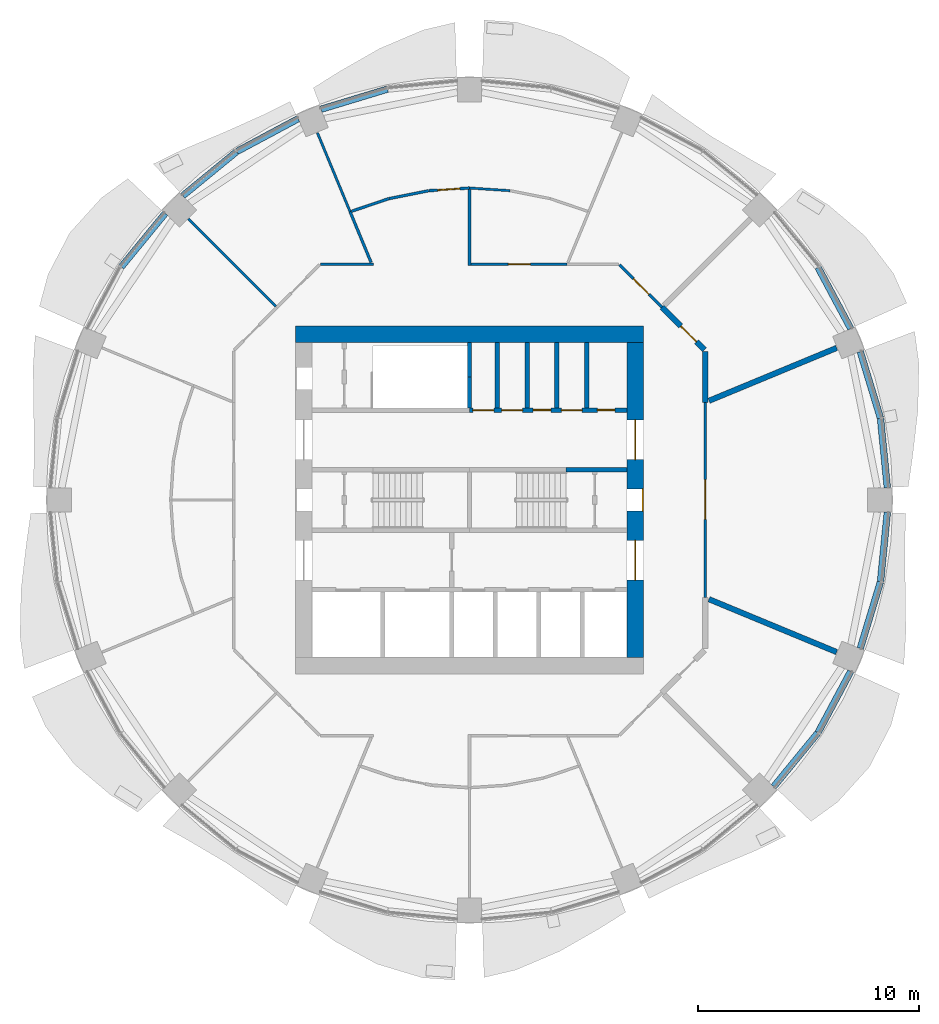
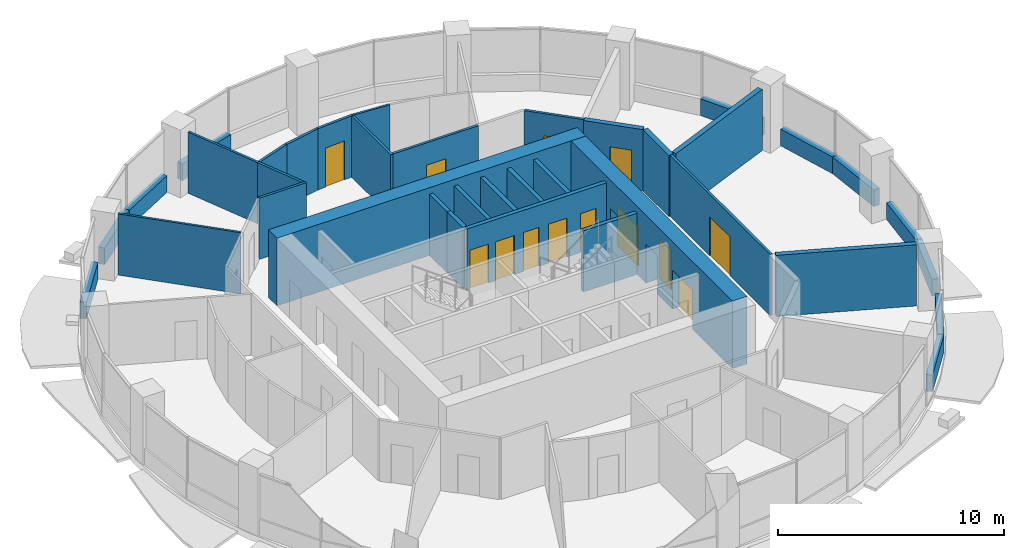
# One storey, part 9 of 14: 37 walls, 13 doors, 13 openings.
"""IFC4 building model written with IfcOpenShell, lengths in metres."""

from ifc_helpers import new_model, si_unit, direction, frame, frame_2d, origin, place, context, subcontext, project, spatial, rectangle, extrude, material, layer, layer_set, type_object, element, fill, save


model = new_model("IFC4")

# Units and contexts
model_context = context("Model", 3, precision=1e-05, world=origin(), true_north=direction((0.0, 1.0)))
body_context = subcontext(model_context, "Body", "Model", "MODEL_VIEW")
ifc_project = project(units=[si_unit("LENGTHUNIT", "METRE"), si_unit("AREAUNIT", "SQUARE_METRE"), si_unit("VOLUMEUNIT", "CUBIC_METRE"), si_unit("PLANEANGLEUNIT", "RADIAN"), si_unit("MASSUNIT", "GRAM", prefix="KILO")], contexts=[model_context])

# Site, building, storey
site_placement = place(None, origin())
site = spatial("IfcSite", under=ifc_project, at=site_placement, CompositionType="ELEMENT")
building_placement = place(site_placement, origin())
building = spatial("IfcBuilding", under=site, at=building_placement, Name="Polderwave Tower", CompositionType="ELEMENT")
storey_placement = place(building_placement, frame((0.0, 0.0, 112.89990234375)))
storey = spatial("IfcBuildingStorey", under=building, at=storey_placement, Name="L29", CompositionType="ELEMENT", Elevation=112.89990234375)

# Wall
ifc_material_1 = material(Name="Concrete C70/85", Category="concrete")
ifc_layer_1 = layer(ifc_material_1, 0.75)
ifc_layer_set_1 = layer_set([ifc_layer_1], Name="CORE WALL 750 C70/85")
wall_type_1 = type_object("IfcWallType", Name="CORE WALL 750 C70/85", PredefinedType="SHEAR", material=ifc_layer_set_1)
wall_1_placement = place(storey_placement, frame((-7.8740234375, 7.4990234375, 0.0), z_axis=(0.0, 0.0, 1.0), x_axis=(1.0, 0.0, 0.0)))
element("IfcWall", 1, at=wall_1_placement, inside=storey, type_object=wall_type_1, Name="ST-CORE-L29-N", PredefinedType="SHEAR", context=body_context, shape_type="SweptSolid", body=[
    extrude(rectangle(XDim=15.748046875, YDim=0.75, at=frame_2d((7.8740234375, 0.0))), origin(), (0.0, 0.0, 1.0), 3.650146484375),
])

# Wall, openings, doors
wall_2_placement = place(storey_placement, frame((7.4990234375, -7.1240234375, 0.0), z_axis=(0.0, 0.0, 1.0), x_axis=(0.0, 1.0, 0.0)))
wall_2 = element("IfcWall", 2, at=wall_2_placement, inside=storey, type_object=wall_type_1, Name="ST-CORE-L29-E", PredefinedType="SHEAR", context=body_context, shape_type="SweptSolid", body=[
    extrude(rectangle(XDim=14.248046875, YDim=0.75, at=frame_2d((7.1240234375, 0.0))), origin(), (0.0, 0.0, 1.0), 3.650146484375),
])
opening_1_placement = place(wall_2_placement, frame((6.6240234375, 0.0, 0.0)))
opening_1 = element("IfcOpeningElement", 3, at=opening_1_placement, cuts=wall_2, Name="Opening L29-D23", PredefinedType="OPENING", context=body_context, shape_type="SweptSolid", body=[
    extrude(rectangle(XDim=1.0, YDim=2.10009765625, at=frame_2d((0.5, 1.050048828125))), frame((0.0, 0.385009765625, 0.0), z_axis=(0.0, -1.0, 0.0), x_axis=(1.0, 0.0, 0.0)), (0.0, 0.0, 1.0), 0.77001953125),
])
opening_2_placement = place(wall_2_placement, frame((3.49951171875, 0.0, 0.0)))
opening_2 = element("IfcOpeningElement", 4, at=opening_2_placement, cuts=wall_2, Name="Opening L29-D24", PredefinedType="OPENING", context=body_context, shape_type="SweptSolid", body=[
    extrude(rectangle(XDim=1.800048828125, YDim=2.10009765625, at=frame_2d((0.89990234375, 1.050048828125))), frame((0.0, 0.385009765625, 0.0), z_axis=(0.0, -1.0, 0.0), x_axis=(1.0, 0.0, 0.0)), (0.0, 0.0, 1.0), 0.77001953125),
])
opening_3_placement = place(wall_2_placement, frame((8.948486328125, 0.0, 0.0)))
opening_3 = element("IfcOpeningElement", 5, at=opening_3_placement, cuts=wall_2, Name="Opening L29-D25", PredefinedType="OPENING", context=body_context, shape_type="SweptSolid", body=[
    extrude(rectangle(XDim=1.800048828125, YDim=2.10009765625, at=frame_2d((0.89990234375, 1.050048828125))), frame((0.0, 0.385009765625, 0.0), z_axis=(0.0, -1.0, 0.0), x_axis=(1.0, 0.0, 0.0)), (0.0, 0.0, 1.0), 0.77001953125),
])
ifc_material_2 = material(Name="Steel fire door", Category="steel")
door_type_1 = type_object("IfcDoorType", Name="Lobby entry door pair 1800", OperationType="DOUBLE_DOOR_SINGLE_SWING", PredefinedType="DOOR", material=ifc_material_2)
door_1_placement = place(opening_2_placement, frame((1.800048828125, 0.0, 0.0), z_axis=(0.0, 0.0, 1.0), x_axis=(-1.0, 0.0, 0.0)))
door_1 = element("IfcDoor", 6, at=door_1_placement, inside=storey, type_object=door_type_1, Name="South lobby entry door", OperationType="DOUBLE_DOOR_SINGLE_SWING", OverallHeight=2.10009765625, OverallWidth=1.800048828125, PredefinedType="DOOR", context=body_context, shape_type="SweptSolid", body=[
    extrude(rectangle(XDim=1.800048828125, YDim=2.10009765625, at=frame_2d((0.89990234375, 1.050048828125))), frame((0.0, 0.02490234375, 0.0), z_axis=(0.0, -1.0, 0.0), x_axis=(1.0, 0.0, 0.0)), (0.0, 0.0, 1.0), 0.050048828125),
])
fill(opening_2, door_1)
door_2_placement = place(opening_3_placement, frame((1.800048828125, 0.0, 0.0), z_axis=(0.0, 0.0, 1.0), x_axis=(-1.0, 0.0, 0.0)))
door_2 = element("IfcDoor", 7, at=door_2_placement, inside=storey, type_object=door_type_1, Name="North lobby entry door", OperationType="DOUBLE_DOOR_SINGLE_SWING", OverallHeight=2.10009765625, OverallWidth=1.800048828125, PredefinedType="DOOR", context=body_context, shape_type="SweptSolid", body=[
    extrude(rectangle(XDim=1.800048828125, YDim=2.10009765625, at=frame_2d((0.89990234375, 1.050048828125))), frame((0.0, 0.02490234375, 0.0), z_axis=(0.0, -1.0, 0.0), x_axis=(1.0, 0.0, 0.0)), (0.0, 0.0, 1.0), 0.050048828125),
])
fill(opening_3, door_2)
door_type_2 = type_object("IfcDoorType", Name="Stair door 1000", OperationType="NOTDEFINED", PredefinedType="DOOR", material=ifc_material_2)
door_3_placement = place(opening_1_placement, frame((1.0, 0.0, 0.0), z_axis=(0.0, 0.0, 1.0), x_axis=(-1.0, 0.0, 0.0)))
door_3 = element("IfcDoor", 8, at=door_3_placement, inside=storey, type_object=door_type_2, Name="Stair B entry door", OperationType="SINGLE_SWING_LEFT", OverallHeight=2.10009765625, OverallWidth=1.0, PredefinedType="DOOR", context=body_context, shape_type="SweptSolid", body=[
    extrude(rectangle(XDim=1.0, YDim=2.10009765625, at=frame_2d((0.5, 1.050048828125))), frame((0.0, 0.375, 0.0), z_axis=(0.0, -1.0, 0.0), x_axis=(1.0, 0.0, 0.0)), (0.0, 0.0, 1.0), 0.050048828125),
])
fill(opening_1, door_3)

# Walls
ifc_material_3 = material(Name="Concrete C50/60 (board-marked)", Category="concrete")
ifc_layer_2 = layer(ifc_material_3, 0.300048828125)
ifc_layer_set_2 = layer_set([ifc_layer_2], Name="Concrete spandrel upstand C50/60")
wall_type_2 = type_object("IfcWallType", Name="Concrete spandrel upstand C50/60", PredefinedType="SOLIDWALL", material=ifc_layer_set_2)
wall_3_placement = place(storey_placement, frame((18.924560546875, 0.56396484375, 0.0), z_axis=(0.0, 0.0, 1.0), x_axis=(-0.098148390136, 0.995171790956, 0.0)))
element("IfcWall", 9, at=wall_3_placement, inside=storey, type_object=wall_type_2, Name="Spandrel L29 1a", PredefinedType="SOLIDWALL", context=body_context, shape_type="SweptSolid", body=[
    extrude(rectangle(XDim=3.13916015625, YDim=0.300048828125, at=frame_2d((1.569580078125, 0.0))), origin(), (0.0, 0.0, 1.0), 0.900146484375),
])
wall_4_placement = place(storey_placement, frame((18.610595703125, 3.71728515625, 0.0), z_axis=(0.0, 0.0, 1.0), x_axis=(-0.290214584271, 0.956961595403, 0.0)))
element("IfcWall", 10, at=wall_4_placement, inside=storey, type_object=wall_type_2, Name="Spandrel L29 1b", PredefinedType="SOLIDWALL", context=body_context, shape_type="SweptSolid", body=[
    extrude(rectangle(XDim=3.139404296875, YDim=0.300048828125, at=frame_2d((1.56982421875, 0.0))), origin(), (0.0, 0.0, 1.0), 0.900146484375),
])
wall_5_placement = place(storey_placement, frame((17.267822265625, 7.76318359375, 0.0), z_axis=(0.0, 0.0, 1.0), x_axis=(-0.471375185282, 0.88193278355, 0.0)))
element("IfcWall", 11, at=wall_5_placement, inside=storey, type_object=wall_type_2, Name="Spandrel L29 2a", PredefinedType="SOLIDWALL", context=body_context, shape_type="SweptSolid", body=[
    extrude(rectangle(XDim=3.13916015625, YDim=0.300048828125, at=frame_2d((1.569580078125, 0.0))), origin(), (0.0, 0.0, 1.0), 0.900146484375),
])
wall_6_placement = place(storey_placement, frame((-3.71728515625, 18.610595703125, 0.0), z_axis=(0.0, 0.0, 1.0), x_axis=(-0.956961595403, -0.290214584271, 0.0)))
element("IfcWall", 12, at=wall_6_placement, inside=storey, type_object=wall_type_2, Name="Spandrel L29 5b", PredefinedType="SOLIDWALL", context=body_context, shape_type="SweptSolid", body=[
    extrude(rectangle(XDim=3.139404296875, YDim=0.300048828125, at=frame_2d((1.56982421875, 0.0))), origin(), (0.0, 0.0, 1.0), 0.900146484375),
])
wall_7_placement = place(storey_placement, frame((-7.76318359375, 17.267822265625, 0.0), z_axis=(0.0, 0.0, 1.0), x_axis=(-0.88193278355, -0.471375185282, 0.0)))
element("IfcWall", 13, at=wall_7_placement, inside=storey, type_object=wall_type_2, Name="Spandrel L29 6a", PredefinedType="SOLIDWALL", context=body_context, shape_type="SweptSolid", body=[
    extrude(rectangle(XDim=3.13916015625, YDim=0.300048828125, at=frame_2d((1.569580078125, 0.0))), origin(), (0.0, 0.0, 1.0), 0.900146484375),
])
for number, where, z_axis, x_axis, name in (
    (14, (-10.556640625, 15.771484375, 0.0), (0.0, 0.0, 1.0), (-0.773107597536, -0.634274895162, 0.0), "Spandrel L29 6b"),
    (15, (-13.780517578125, 12.9833984375, 0.0), (0.0, 0.0, 1.0), (-0.634274895162, -0.773107597536, 0.0), "Spandrel L29 7a"),
    (16, (13.780517578125, -12.9833984375, 0.0), (0.0, 0.0, 1.0), (0.634274895162, 0.773107597536, 0.0), "Spandrel L29 15a"),
):
    element("IfcWall", number, at=place(storey_placement, frame(where, z_axis=z_axis, x_axis=x_axis)), inside=storey, type_object=wall_type_2, Name=name, PredefinedType="SOLIDWALL", context=body_context, shape_type="SweptSolid", body=[
        extrude(rectangle(XDim=3.138916015625, YDim=0.300048828125, at=frame_2d((1.5693359375, 0.0))), origin(), (0.0, 0.0, 1.0), 0.900146484375),
    ])
wall_8_placement = place(storey_placement, frame((15.7880859375, -10.53173828125, 0.0), z_axis=(0.0, 0.0, 1.0), x_axis=(0.471375185282, 0.88193278355, 0.0)))
element("IfcWall", 17, at=wall_8_placement, inside=storey, type_object=wall_type_2, Name="Spandrel L29 15b", PredefinedType="SOLIDWALL", context=body_context, shape_type="SweptSolid", body=[
    extrude(rectangle(XDim=3.13916015625, YDim=0.300048828125, at=frame_2d((1.569580078125, 0.0))), origin(), (0.0, 0.0, 1.0), 0.900146484375),
])
wall_9_placement = place(storey_placement, frame((17.699462890625, -6.7216796875, 0.0), z_axis=(0.0, 0.0, 1.0), x_axis=(0.290214584271, 0.956961595403, 0.0)))
element("IfcWall", 18, at=wall_9_placement, inside=storey, type_object=wall_type_2, Name="Spandrel L29 16a", PredefinedType="SOLIDWALL", context=body_context, shape_type="SweptSolid", body=[
    extrude(rectangle(XDim=3.139404296875, YDim=0.300048828125, at=frame_2d((1.56982421875, 0.0))), origin(), (0.0, 0.0, 1.0), 0.900146484375),
])
wall_10_placement = place(storey_placement, frame((18.616455078125, -3.68798828125, 0.0), z_axis=(0.0, 0.0, 1.0), x_axis=(0.098148390136, 0.995171790956, 0.0)))
element("IfcWall", 19, at=wall_10_placement, inside=storey, type_object=wall_type_2, Name="Spandrel L29 16b", PredefinedType="SOLIDWALL", context=body_context, shape_type="SweptSolid", body=[
    extrude(rectangle(XDim=3.13916015625, YDim=0.300048828125, at=frame_2d((1.569580078125, 0.0))), origin(), (0.0, 0.0, 1.0), 0.900146484375),
])
ifc_material_4 = material(Name="Gypsum board partition")
ifc_layer_3 = layer(ifc_material_4, 0.199951171875)
ifc_layer_set_3 = layer_set([ifc_layer_3], Name="Core room partition 200")
wall_type_3 = type_object("IfcWallType", Name="Core room partition 200", PredefinedType="PARTITIONING", material=ifc_layer_set_3)
for number, where, z_axis, x_axis, name in (
    (20, (1.260009765625, 4.174072265625, 0.0), (0.0, 0.0, 1.0), (0.0, 1.0, 0.0), "L29 room partition N1"),
    (21, (2.608642578125, 4.174072265625, 0.0), (0.0, 0.0, 1.0), (0.0, 1.0, 0.0), "L29 room partition N2"),
    (22, (3.95703125, 4.174072265625, 0.0), (0.0, 0.0, 1.0), (0.0, 1.0, 0.0), "L29 room partition N3"),
):
    element("IfcWall", number, at=place(storey_placement, frame(where, z_axis=z_axis, x_axis=x_axis)), inside=storey, type_object=wall_type_3, Name=name, PredefinedType="PARTITIONING", context=body_context, shape_type="SweptSolid", body=[
        extrude(rectangle(XDim=2.949951171875, YDim=0.199951171875, at=frame_2d((1.47509765625, 0.0))), origin(), (0.0, 0.0, 1.0), 3.300048828125),
    ])

# Wall, openings, doors
ifc_material_5 = material(Name="Concrete C50/60", Category="concrete")
ifc_layer_4 = layer(ifc_material_5, 0.199951171875)
ifc_layer_set_4 = layer_set([ifc_layer_4], Name="Core web wall 200")
wall_type_4 = type_object("IfcWallType", Name="Core web wall 200", PredefinedType="SHEAR", material=ifc_layer_set_4)
wall_11_placement = place(storey_placement, frame((0.0, 4.073974609375, 0.0), z_axis=(0.0, 0.0, 1.0), x_axis=(1.0, 0.0, 0.0)))
wall_11 = element("IfcWall", 23, at=wall_11_placement, inside=storey, type_object=wall_type_4, Name="L29 north front wall 2", PredefinedType="SHEAR", context=body_context, shape_type="SweptSolid", body=[
    extrude(rectangle(XDim=7.1240234375, YDim=0.199951171875, at=frame_2d((3.56201171875, 0.0))), origin(), (0.0, 0.0, 1.0), 3.300048828125),
])
opening_4_placement = place(wall_11_placement, frame((0.155029296875, 0.0, 0.0)))
opening_4 = element("IfcOpeningElement", 24, at=opening_4_placement, cuts=wall_11, Name="Opening L29-D14", PredefinedType="OPENING", context=body_context, shape_type="SweptSolid", body=[
    extrude(rectangle(XDim=0.949951171875, YDim=2.10009765625, at=frame_2d((0.47509765625, 1.050048828125))), frame((0.0, 0.10986328125, 0.0), z_axis=(0.0, -1.0, 0.0), x_axis=(1.0, 0.0, 0.0)), (0.0, 0.0, 1.0), 0.219970703125),
])
opening_5_placement = place(wall_11_placement, frame((1.459228515625, 0.0, 0.0)))
opening_5 = element("IfcOpeningElement", 25, at=opening_5_placement, cuts=wall_11, Name="Opening L29-D15", PredefinedType="OPENING", context=body_context, shape_type="SweptSolid", body=[
    extrude(rectangle(XDim=0.949951171875, YDim=2.10009765625, at=frame_2d((0.47509765625, 1.050048828125))), frame((0.0, 0.10986328125, 0.0), z_axis=(0.0, -1.0, 0.0), x_axis=(1.0, 0.0, 0.0)), (0.0, 0.0, 1.0), 0.219970703125),
])
opening_6_placement = place(wall_11_placement, frame((2.8828125, 0.0, 0.0)))
opening_6 = element("IfcOpeningElement", 26, at=opening_6_placement, cuts=wall_11, Name="Opening L29-D16", PredefinedType="OPENING", context=body_context, shape_type="SweptSolid", body=[
    extrude(rectangle(XDim=0.800048828125, YDim=2.10009765625, at=frame_2d((0.39990234375, 1.050048828125))), frame((0.0, 0.10986328125, 0.0), z_axis=(0.0, -1.0, 0.0), x_axis=(1.0, 0.0, 0.0)), (0.0, 0.0, 1.0), 0.219970703125),
])
opening_7_placement = place(wall_11_placement, frame((4.15625, 0.0, 0.0)))
opening_7 = element("IfcOpeningElement", 27, at=opening_7_placement, cuts=wall_11, Name="Opening L29-D17", PredefinedType="OPENING", context=body_context, shape_type="SweptSolid", body=[
    extrude(rectangle(XDim=0.949951171875, YDim=2.10009765625, at=frame_2d((0.47509765625, 1.050048828125))), frame((0.0, 0.10986328125, 0.0), z_axis=(0.0, -1.0, 0.0), x_axis=(1.0, 0.0, 0.0)), (0.0, 0.0, 1.0), 0.219970703125),
])
opening_8_placement = place(wall_11_placement, frame((5.789794921875, 0.0, 0.0)))
opening_8 = element("IfcOpeningElement", 28, at=opening_8_placement, cuts=wall_11, Name="Opening L29-D18", PredefinedType="OPENING", context=body_context, shape_type="SweptSolid", body=[
    extrude(rectangle(XDim=0.800048828125, YDim=2.10009765625, at=frame_2d((0.39990234375, 1.050048828125))), frame((0.0, 0.10986328125, 0.0), z_axis=(0.0, -1.0, 0.0), x_axis=(1.0, 0.0, 0.0)), (0.0, 0.0, 1.0), 0.219970703125),
])
door_type_3 = type_object("IfcDoorType", Name="Riser door 800", OperationType="NOTDEFINED", PredefinedType="DOOR", material=ifc_material_2)
door_4_placement = place(opening_6_placement, frame((0.800048828125, 0.0, 0.0), z_axis=(0.0, 0.0, 1.0), x_axis=(-1.0, 0.0, 0.0)))
door_4 = element("IfcDoor", 29, at=door_4_placement, inside=storey, type_object=door_type_3, Name="Electrical room door", OperationType="SINGLE_SWING_RIGHT", OverallHeight=2.10009765625, OverallWidth=0.800048828125, PredefinedType="DOOR", context=body_context, shape_type="SweptSolid", body=[
    extrude(rectangle(XDim=0.800048828125, YDim=2.10009765625, at=frame_2d((0.39990234375, 1.050048828125))), frame((0.0, 0.02490234375, 0.0), z_axis=(0.0, -1.0, 0.0), x_axis=(1.0, 0.0, 0.0)), (0.0, 0.0, 1.0), 0.050048828125),
])
fill(opening_6, door_4)
door_5_placement = place(opening_8_placement, frame((0.800048828125, 0.0, 0.0), z_axis=(0.0, 0.0, 1.0), x_axis=(-1.0, 0.0, 0.0)))
door_5 = element("IfcDoor", 30, at=door_5_placement, inside=storey, type_object=door_type_3, Name="Riser door", OperationType="SINGLE_SWING_LEFT", OverallHeight=2.10009765625, OverallWidth=0.800048828125, PredefinedType="DOOR", context=body_context, shape_type="SweptSolid", body=[
    extrude(rectangle(XDim=0.800048828125, YDim=2.10009765625, at=frame_2d((0.39990234375, 1.050048828125))), frame((0.0, 0.02490234375, 0.0), z_axis=(0.0, -1.0, 0.0), x_axis=(1.0, 0.0, 0.0)), (0.0, 0.0, 1.0), 0.050048828125),
])
fill(opening_8, door_5)
ifc_material_6 = material(Name="Timber door leaf", Category="wood")
door_type_4 = type_object("IfcDoorType", Name="Room door 950", OperationType="NOTDEFINED", PredefinedType="DOOR", material=ifc_material_6)
door_6_placement = place(opening_4_placement, origin())
door_6 = element("IfcDoor", 31, at=door_6_placement, inside=storey, type_object=door_type_4, Name="Staff WC door", OperationType="SINGLE_SWING_LEFT", OverallHeight=2.10009765625, OverallWidth=0.949951171875, PredefinedType="DOOR", context=body_context, shape_type="SweptSolid", body=[
    extrude(rectangle(XDim=0.949951171875, YDim=2.10009765625, at=frame_2d((0.47509765625, 1.050048828125))), frame((0.0, 0.02490234375, 0.0), z_axis=(0.0, -1.0, 0.0), x_axis=(1.0, 0.0, 0.0)), (0.0, 0.0, 1.0), 0.050048828125),
])
fill(opening_4, door_6)
door_7_placement = place(opening_5_placement, origin())
door_7 = element("IfcDoor", 32, at=door_7_placement, inside=storey, type_object=door_type_4, Name="Refuse store door", OperationType="SINGLE_SWING_LEFT", OverallHeight=2.10009765625, OverallWidth=0.949951171875, PredefinedType="DOOR", context=body_context, shape_type="SweptSolid", body=[
    extrude(rectangle(XDim=0.949951171875, YDim=2.10009765625, at=frame_2d((0.47509765625, 1.050048828125))), frame((0.0, 0.02490234375, 0.0), z_axis=(0.0, -1.0, 0.0), x_axis=(1.0, 0.0, 0.0)), (0.0, 0.0, 1.0), 0.050048828125),
])
fill(opening_5, door_7)
door_8_placement = place(opening_7_placement, origin())
door_8 = element("IfcDoor", 33, at=door_8_placement, inside=storey, type_object=door_type_4, Name="Seed store door", OperationType="SINGLE_SWING_RIGHT", OverallHeight=2.10009765625, OverallWidth=0.949951171875, PredefinedType="DOOR", context=body_context, shape_type="SweptSolid", body=[
    extrude(rectangle(XDim=0.949951171875, YDim=2.10009765625, at=frame_2d((0.47509765625, 1.050048828125))), frame((0.0, 0.02490234375, 0.0), z_axis=(0.0, -1.0, 0.0), x_axis=(1.0, 0.0, 0.0)), (0.0, 0.0, 1.0), 0.050048828125),
])
fill(opening_7, door_8)

# Walls
wall_12_placement = place(storey_placement, frame((4.3740234375, 1.375, 0.0), z_axis=(0.0, 0.0, 1.0), x_axis=(1.0, 0.0, 0.0)))
element("IfcWall", 34, at=wall_12_placement, inside=storey, type_object=wall_type_4, Name="L29 north stair wall 4", PredefinedType="SHEAR", context=body_context, shape_type="SweptSolid", body=[
    extrude(rectangle(XDim=2.75, YDim=0.199951171875, at=frame_2d((1.375, 0.0))), origin(), (0.0, 0.0, 1.0), 3.300048828125),
])
wall_13_placement = place(storey_placement, frame((0.0, 4.174072265625, 0.0), z_axis=(0.0, 0.0, 1.0), x_axis=(0.0, 1.0, 0.0)))
element("IfcWall", 35, at=wall_13_placement, inside=storey, type_object=wall_type_4, Name="L29 stair C wall south", PredefinedType="SHEAR", context=body_context, shape_type="SweptSolid", body=[
    extrude(rectangle(XDim=1.39990234375, YDim=0.199951171875, at=frame_2d((0.699951171875, 0.0))), origin(), (0.0, 0.0, 1.0), 3.300048828125),
])
wall_14_placement = place(storey_placement, frame((0.0, 5.573974609375, 0.0), z_axis=(0.0, 0.0, 1.0), x_axis=(0.0, 1.0, 0.0)))
element("IfcWall", 36, at=wall_14_placement, inside=storey, type_object=wall_type_4, Name="L29 stair C wall north", PredefinedType="SHEAR", context=body_context, shape_type="SweptSolid", body=[
    extrude(rectangle(XDim=1.550048828125, YDim=0.199951171875, at=frame_2d((0.77490234375, 0.0))), origin(), (0.0, 0.0, 1.0), 3.300048828125),
])

# Wall, opening, door
ifc_material_7 = material(Name="Fire-resisting board on steel studs", Category="steel")
ifc_layer_5 = layer(ifc_material_7, 0.125)
ifc_layer_set_5 = layer_set([ifc_layer_5], Name="Corridor wall 125 mm EI 60")
wall_type_5 = type_object("IfcWallType", Name="Corridor wall 125 mm EI 60", PredefinedType="PARTITIONING", material=ifc_layer_set_5)
wall_15_placement = place(storey_placement, frame((10.674072265625, 4.42138671875, 0.0), z_axis=(0.0, 0.0, 1.0), x_axis=(0.0, -1.0, 0.0)))
wall_15 = element("IfcWall", 37, at=wall_15_placement, inside=storey, type_object=wall_type_5, Name="IN-L29-W001", PredefinedType="PARTITIONING", context=body_context, shape_type="SweptSolid", body=[
    extrude(rectangle(XDim=8.8427734375, YDim=0.125, at=frame_2d((4.42138671875, 0.0))), origin(), (0.0, 0.0, 1.0), 3.300048828125),
])
opening_9_placement = place(wall_15_placement, frame((3.5, 0.0, 0.0)))
opening_9 = element("IfcOpeningElement", 38, at=opening_9_placement, cuts=wall_15, Name="Opening L29-D50", PredefinedType="OPENING", context=body_context, shape_type="SweptSolid", body=[
    extrude(rectangle(XDim=1.800048828125, YDim=2.10009765625, at=frame_2d((0.89990234375, 1.050048828125))), frame((0.0, 0.072509765625, 0.0), z_axis=(0.0, -1.0, 0.0), x_axis=(1.0, 0.0, 0.0)), (0.0, 0.0, 1.0), 0.14501953125),
])
ifc_material_8 = material(Name="Timber fire door leaves", Category="wood")
door_type_5 = type_object("IfcDoorType", Name="Double fire door FD30S 1800 x 2100", OperationType="NOTDEFINED", PredefinedType="DOOR", material=ifc_material_8)
door_9_placement = place(opening_9_placement, origin())
door_9 = element("IfcDoor", 39, at=door_9_placement, inside=storey, type_object=door_type_5, Name="Door L29-D50", OperationType="DOUBLE_DOOR_SINGLE_SWING", OverallHeight=2.10009765625, OverallWidth=1.800048828125, PredefinedType="DOOR", context=body_context, shape_type="SweptSolid", body=[
    extrude(rectangle(XDim=1.800048828125, YDim=2.10009765625, at=frame_2d((0.89990234375, 1.050048828125))), frame((0.0, 0.02490234375, 0.0), z_axis=(0.0, -1.0, 0.0), x_axis=(1.0, 0.0, 0.0)), (0.0, 0.0, 1.0), 0.050048828125),
])
fill(opening_9, door_9)

wall_16_placement = place(storey_placement, frame((6.789306640625, 10.65576171875, 0.0), z_axis=(0.0, 0.0, 1.0), x_axis=(0.707062130741, -0.707151428813, 0.0)))
wall_16 = element("IfcWall", 40, at=wall_16_placement, inside=storey, type_object=wall_type_5, Name="IN-L29-W007", PredefinedType="PARTITIONING", context=body_context, shape_type="SweptSolid", body=[
    extrude(rectangle(XDim=2.73388671875, YDim=0.125, at=frame_2d((1.366943359375, 0.0))), origin(), (0.0, 0.0, 1.0), 3.300048828125),
])
opening_10_placement = place(wall_16_placement, frame((0.89990234375, 0.0, 0.0)))
opening_10 = element("IfcOpeningElement", 41, at=opening_10_placement, cuts=wall_16, Name="Opening L29-D53", PredefinedType="OPENING", context=body_context, shape_type="SweptSolid", body=[
    extrude(rectangle(XDim=1.0, YDim=2.10009765625, at=frame_2d((0.5, 1.050048828125))), frame((0.0, 0.072509765625, 0.0), z_axis=(0.0, -1.0, 0.0), x_axis=(1.0, 0.0, 0.0)), (0.0, 0.0, 1.0), 0.14501953125),
])
ifc_material_9 = material(Name="Timber fire door leaf", Category="wood")
door_type_6 = type_object("IfcDoorType", Name="Fire door FD30S 1000 x 2100", OperationType="NOTDEFINED", PredefinedType="DOOR", material=ifc_material_9)
door_10_placement = place(opening_10_placement, origin())
door_10 = element("IfcDoor", 42, at=door_10_placement, inside=storey, type_object=door_type_6, Name="Door L29-D53", OperationType="SINGLE_SWING_RIGHT", OverallHeight=2.10009765625, OverallWidth=1.0, PredefinedType="DOOR", context=body_context, shape_type="SweptSolid", body=[
    extrude(rectangle(XDim=1.0, YDim=2.10009765625, at=frame_2d((0.5, 1.050048828125))), frame((0.0, 0.02490234375, 0.0), z_axis=(0.0, -1.0, 0.0), x_axis=(1.0, 0.0, 0.0)), (0.0, 0.0, 1.0), 0.050048828125),
])
fill(opening_10, door_10)

wall_17_placement = place(storey_placement, frame((0.0625, 10.674072265625, 0.0), z_axis=(0.0, 0.0, 1.0), x_axis=(1.0, 0.0, 0.0)))
wall_17 = element("IfcWall", 43, at=wall_17_placement, inside=storey, type_object=wall_type_5, Name="IN-L29-W008", PredefinedType="PARTITIONING", context=body_context, shape_type="SweptSolid", body=[
    extrude(rectangle(XDim=4.35888671875, YDim=0.125, at=frame_2d((2.179443359375, 0.0))), origin(), (0.0, 0.0, 1.0), 3.300048828125),
])
opening_11_placement = place(wall_17_placement, frame((1.699951171875, 0.0, 0.0)))
opening_11 = element("IfcOpeningElement", 44, at=opening_11_placement, cuts=wall_17, Name="Opening L29-D54", PredefinedType="OPENING", context=body_context, shape_type="SweptSolid", body=[
    extrude(rectangle(XDim=1.0, YDim=2.10009765625, at=frame_2d((0.5, 1.050048828125))), frame((0.0, 0.072509765625, 0.0), z_axis=(0.0, -1.0, 0.0), x_axis=(1.0, 0.0, 0.0)), (0.0, 0.0, 1.0), 0.14501953125),
])
door_11_placement = place(opening_11_placement, origin())
door_11 = element("IfcDoor", 45, at=door_11_placement, inside=storey, type_object=door_type_6, Name="Door L29-D54", OperationType="SINGLE_SWING_RIGHT", OverallHeight=2.10009765625, OverallWidth=1.0, PredefinedType="DOOR", context=body_context, shape_type="SweptSolid", body=[
    extrude(rectangle(XDim=1.0, YDim=2.10009765625, at=frame_2d((0.5, 1.050048828125))), frame((0.0, 0.02490234375, 0.0), z_axis=(0.0, -1.0, 0.0), x_axis=(1.0, 0.0, 0.0)), (0.0, 0.0, 1.0), 0.050048828125),
])
fill(opening_11, door_11)

# Walls
wall_18_placement = place(storey_placement, frame((-6.7451171875, 10.674072265625, 0.0), z_axis=(0.0, 0.0, 1.0), x_axis=(1.0, 0.0, 0.0)))
element("IfcWall", 46, at=wall_18_placement, inside=storey, type_object=wall_type_5, Name="IN-L29-W010", PredefinedType="PARTITIONING", context=body_context, shape_type="SweptSolid", body=[
    extrude(rectangle(XDim=2.38623046875, YDim=0.125, at=frame_2d((1.193115234375, 0.0))), origin(), (0.0, 0.0, 1.0), 3.300048828125),
])
wall_19_placement = place(storey_placement, frame((0.0, 10.611572265625, 0.0), z_axis=(0.0, 0.0, 1.0), x_axis=(0.0, 1.0, 0.0)))
element("IfcWall", 47, at=wall_19_placement, inside=storey, type_object=wall_type_5, Name="IN-L29-W030", PredefinedType="PARTITIONING", context=body_context, shape_type="SweptSolid", body=[
    extrude(rectangle(XDim=3.45166015625, YDim=0.125, at=frame_2d((1.725830078125, 0.0))), origin(), (0.0, 0.0, 1.0), 3.300048828125),
])
wall_20_placement = place(storey_placement, frame((-3.660888671875, 13.647216796875, 0.0), z_axis=(0.0, 0.0, 1.0), x_axis=(-0.946896580983, -0.321538279095, 0.0)))
element("IfcWall", 48, at=wall_20_placement, inside=storey, type_object=wall_type_5, Name="IN-L29-W031", PredefinedType="PARTITIONING", context=body_context, shape_type="SweptSolid", body=[
    extrude(rectangle(XDim=1.777587890625, YDim=0.125, at=frame_2d((0.888671875, 0.0))), origin(), (0.0, 0.0, 1.0), 3.300048828125),
])
wall_21_placement = place(storey_placement, frame((-1.848388671875, 14.00830078125, 0.0), z_axis=(0.0, 0.0, 1.0), x_axis=(-0.980794424524, -0.195044345786, 0.0)))
element("IfcWall", 49, at=wall_21_placement, inside=storey, type_object=wall_type_5, Name="IN-L29-W032", PredefinedType="PARTITIONING", context=body_context, shape_type="SweptSolid", body=[
    extrude(rectangle(XDim=1.840087890625, YDim=0.125, at=frame_2d((0.919921875, 0.0))), origin(), (0.0, 0.0, 1.0), 3.300048828125),
])

# Wall, opening, door
wall_22_placement = place(storey_placement, frame((-1.840087890625, 14.009521484375, 0.0), z_axis=(0.0, 0.0, 1.0), x_axis=(0.9978675644, 0.065271156859, 0.0)))
wall_22 = element("IfcWall", 50, at=wall_22_placement, inside=storey, type_object=wall_type_5, Name="IN-L29-W033", PredefinedType="PARTITIONING", context=body_context, shape_type="SweptSolid", body=[
    extrude(rectangle(XDim=1.843994140625, YDim=0.125, at=frame_2d((0.921875, 0.0))), origin(), (0.0, 0.0, 1.0), 3.300048828125),
])
opening_12_placement = place(wall_22_placement, frame((0.39990234375, 0.0, 0.0)))
opening_12 = element("IfcOpeningElement", 51, at=opening_12_placement, cuts=wall_22, Name="Opening L29-D63", PredefinedType="OPENING", context=body_context, shape_type="SweptSolid", body=[
    extrude(rectangle(XDim=1.0, YDim=2.10009765625, at=frame_2d((0.5, 1.050048828125))), frame((0.0, 0.072509765625, 0.0), z_axis=(0.0, -1.0, 0.0), x_axis=(1.0, 0.0, 0.0)), (0.0, 0.0, 1.0), 0.14501953125),
])
door_12_placement = place(opening_12_placement, origin())
door_12 = element("IfcDoor", 52, at=door_12_placement, inside=storey, type_object=door_type_6, Name="Door L29-D63", OperationType="SINGLE_SWING_LEFT", OverallHeight=2.10009765625, OverallWidth=1.0, PredefinedType="DOOR", context=body_context, shape_type="SweptSolid", body=[
    extrude(rectangle(XDim=1.0, YDim=2.10009765625, at=frame_2d((0.5, 1.050048828125))), frame((0.0, 0.02490234375, 0.0), z_axis=(0.0, -1.0, 0.0), x_axis=(1.0, 0.0, 0.0)), (0.0, 0.0, 1.0), 0.050048828125),
])
fill(opening_12, door_12)

# Walls
wall_23_placement = place(storey_placement, frame((-4.45703125, 10.760498046875, 0.0), z_axis=(0.0, 0.0, 1.0), x_axis=(-0.38268757567, 0.923877816288, 0.0)))
element("IfcWall", 53, at=wall_23_placement, inside=storey, type_object=wall_type_5, Name="IN-L29-W035", PredefinedType="PARTITIONING", context=body_context, shape_type="SweptSolid", body=[
    extrude(rectangle(XDim=2.48291015625, YDim=0.125, at=frame_2d((1.241455078125, 0.0))), origin(), (0.0, 0.0, 1.0), 3.300048828125),
])
ifc_material_10 = material(Name="Moisture-resistant board on steel studs, tiled", Category="steel")
ifc_layer_6 = layer(ifc_material_10, 0.10498046875)
ifc_layer_set_6 = layer_set([ifc_layer_6], Name="Partition 105 mm wet room board and tile")
wall_type_6 = type_object("IfcWallType", Name="Partition 105 mm wet room board and tile", PredefinedType="PARTITIONING", material=ifc_layer_set_6)
wall_24_placement = place(storey_placement, frame((0.0, 14.1298828125, 0.0), z_axis=(0.0, 0.0, 1.0), x_axis=(0.997860630529, -0.065377075793, 0.0)))
element("IfcWall", 54, at=wall_24_placement, inside=storey, type_object=wall_type_6, Name="IN-L29-W027", PredefinedType="PARTITIONING", context=body_context, shape_type="SweptSolid", body=[
    extrude(rectangle(XDim=1.8447265625, YDim=0.10498046875, at=frame_2d((0.92236328125, 0.0))), origin(), (0.0, 0.0, 1.0), 3.300048828125),
])
ifc_material_11 = material(Name="Acoustic double plasterboard on steel studs", Category="steel")
ifc_layer_7 = layer(ifc_material_11, 0.110107421875)
ifc_layer_set_7 = layer_set([ifc_layer_7], Name="Partition 110 mm acoustic double board")
wall_type_7 = type_object("IfcWallType", Name="Partition 110 mm acoustic double board", PredefinedType="PARTITIONING", material=ifc_layer_set_7)
wall_25_placement = place(storey_placement, frame((-5.4072265625, 13.054443359375, 0.0), z_axis=(0.0, 0.0, 1.0), x_axis=(-0.382674944996, 0.923883048049, 0.0)))
element("IfcWall", 55, at=wall_25_placement, inside=storey, type_object=wall_type_7, Name="IN-L29-W034", PredefinedType="PARTITIONING", context=body_context, shape_type="SweptSolid", body=[
    extrude(rectangle(XDim=3.8701171875, YDim=0.110107421875, at=frame_2d((1.93505859375, 0.0))), origin(), (0.0, 0.0, 1.0), 3.300048828125),
])
wall_26_placement = place(storey_placement, frame((-8.7666015625, 8.7666015625, 0.0), z_axis=(0.0, 0.0, 1.0), x_axis=(-0.707106781187, 0.707106781187, 0.0)))
element("IfcWall", 56, at=wall_26_placement, inside=storey, type_object=wall_type_7, Name="IN-L29-W036", PredefinedType="PARTITIONING", context=body_context, shape_type="SweptSolid", body=[
    extrude(rectangle(XDim=5.60205078125, YDim=0.110107421875, at=frame_2d((2.801025390625, 0.0))), origin(), (0.0, 0.0, 1.0), 3.300048828125),
])

# Wall, opening, door
ifc_material_12 = material(Name="Fire-resisting board on steel studs, mineral wool", Category="steel")
ifc_layer_8 = layer(ifc_material_12, 0.25)
ifc_layer_set_8 = layer_set([ifc_layer_8], Name="Plant room wall 250 mm EI 120")
wall_type_8 = type_object("IfcWallType", Name="Plant room wall 250 mm EI 120", PredefinedType="PARTITIONING", material=ifc_layer_set_8)
wall_27_placement = place(storey_placement, frame((8.722412109375, 8.722412109375, 0.0), z_axis=(0.0, 0.0, 1.0), x_axis=(0.707151855722, -0.707061703777, 0.0)))
wall_27 = element("IfcWall", 57, at=wall_27_placement, inside=storey, type_object=wall_type_8, Name="IN-L29-W002", PredefinedType="PARTITIONING", context=body_context, shape_type="SweptSolid", body=[
    extrude(rectangle(XDim=2.7080078125, YDim=0.25, at=frame_2d((1.35400390625, 0.0))), origin(), (0.0, 0.0, 1.0), 3.300048828125),
])
opening_13_placement = place(wall_27_placement, frame((1.199951171875, 0.0, 0.0)))
opening_13 = element("IfcOpeningElement", 58, at=opening_13_placement, cuts=wall_27, Name="Opening L29-D51", PredefinedType="OPENING", context=body_context, shape_type="SweptSolid", body=[
    extrude(rectangle(XDim=1.0, YDim=2.10009765625, at=frame_2d((0.5, 1.050048828125))), frame((0.0, 0.135009765625, 0.0), z_axis=(0.0, -1.0, 0.0), x_axis=(1.0, 0.0, 0.0)), (0.0, 0.0, 1.0), 0.27001953125),
])
ifc_material_13 = material(Name="Steel plant door leaf", Category="steel")
door_type_7 = type_object("IfcDoorType", Name="Plant door FD60 1000 x 2100 steel", OperationType="NOTDEFINED", PredefinedType="DOOR", material=ifc_material_13)
door_13_placement = place(opening_13_placement, origin())
door_13 = element("IfcDoor", 59, at=door_13_placement, inside=storey, type_object=door_type_7, Name="Door L29-D51", OperationType="SINGLE_SWING_RIGHT", OverallHeight=2.10009765625, OverallWidth=1.0, PredefinedType="DOOR", context=body_context, shape_type="SweptSolid", body=[
    extrude(rectangle(XDim=1.0, YDim=2.10009765625, at=frame_2d((0.5, 1.050048828125))), frame((0.0, 0.02490234375, 0.0), z_axis=(0.0, -1.0, 0.0), x_axis=(1.0, 0.0, 0.0)), (0.0, 0.0, 1.0), 0.050048828125),
])
fill(opening_13, door_13)

# Walls
wall_28_placement = place(storey_placement, frame((10.674072265625, 6.71923828125, 0.0), z_axis=(0.0, 0.0, 1.0), x_axis=(0.0, -1.0, 0.0)))
element("IfcWall", 60, at=wall_28_placement, inside=storey, type_object=wall_type_8, Name="IN-L29-W003", PredefinedType="PARTITIONING", context=body_context, shape_type="SweptSolid", body=[
    extrude(rectangle(XDim=2.2978515625, YDim=0.25, at=frame_2d((1.14892578125, 0.0))), origin(), (0.0, 0.0, 1.0), 3.300048828125),
])
for number, where, z_axis, x_axis, name in (
    (61, (10.8466796875, 4.492919921875, 0.0), (0.0, 0.0, 1.0), (0.923891816603, 0.382653774599, 0.0), "IN-L29-W022"),
    (62, (16.6298828125, -6.88818359375, 0.0), (0.0, 0.0, 1.0), (-0.923891816603, 0.382653774599, 0.0), "IN-L29-W023"),
):
    element("IfcWall", number, at=place(storey_placement, frame(where, z_axis=z_axis, x_axis=x_axis)), inside=storey, type_object=wall_type_8, Name=name, PredefinedType="PARTITIONING", context=body_context, shape_type="SweptSolid", body=[
        extrude(rectangle(XDim=6.259521484375, YDim=0.25, at=frame_2d((3.1298828125, 0.0))), origin(), (0.0, 0.0, 1.0), 3.300048828125),
    ])
ifc_material_14 = material(Name="Gypsum shaft wall system")
ifc_layer_9 = layer(ifc_material_14, 0.199951171875)
ifc_layer_set_9 = layer_set([ifc_layer_9], Name="Shaft wall 200")
wall_type_9 = type_object("IfcWallType", Name="Shaft wall 200", PredefinedType="PARTITIONING", material=ifc_layer_set_9)
wall_29_placement = place(storey_placement, frame((5.305419921875, 4.174072265625, 0.0), z_axis=(0.0, 0.0, 1.0), x_axis=(0.0, 1.0, 0.0)))
element("IfcWall", 63, at=wall_29_placement, inside=storey, type_object=wall_type_9, Name="L29 riser wall", PredefinedType="PARTITIONING", context=body_context, shape_type="SweptSolid", body=[
    extrude(rectangle(XDim=2.949951171875, YDim=0.199951171875, at=frame_2d((1.47509765625, 0.0))), origin(), (0.0, 0.0, 1.0), 3.300048828125),
])

save(model, "model.ifc")
